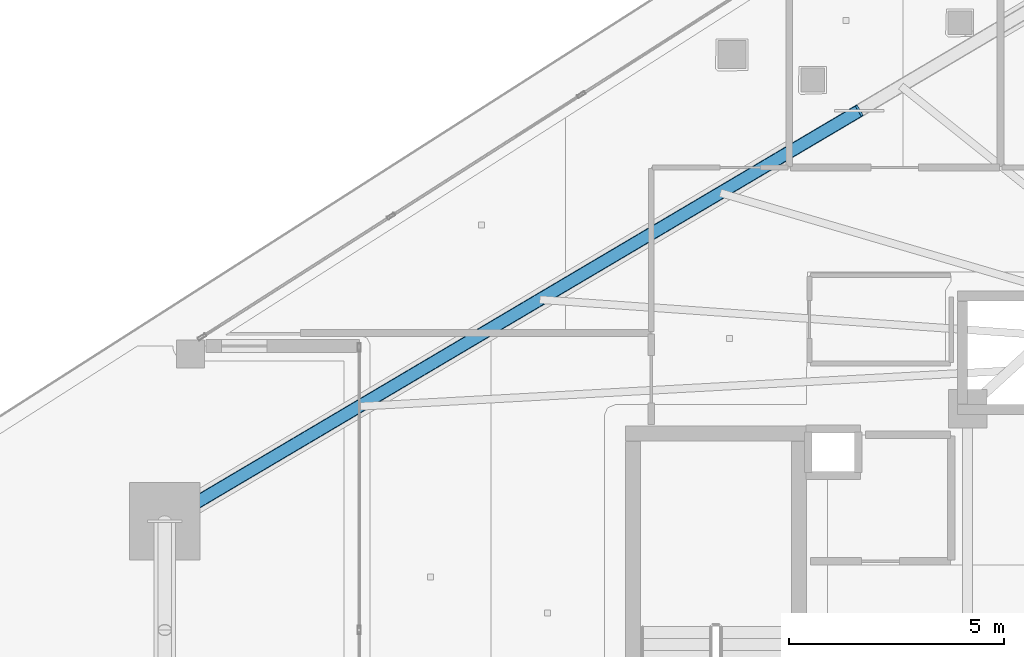
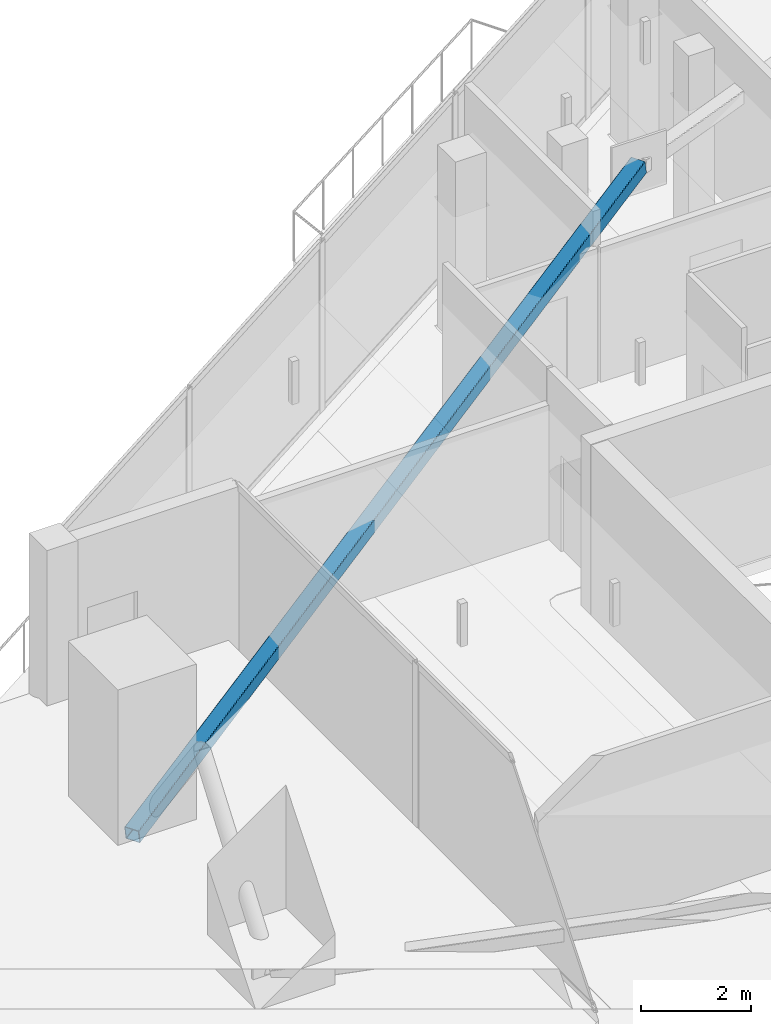
# One storey, part 17 of 40: 1 member.
"""IFC4 building model written with IfcOpenShell, lengths in metres."""

from ifc_helpers import new_model, si_unit, direction, frame, origin, origin_2d, place, context, subcontext, project, spatial, hollow_rectangle, extrude, material, material_profile, profile_set, type_object, element, save


model = new_model("IFC4")

# Units and contexts
model_context = context("Model", 3, precision=1e-05, world=origin(), true_north=direction((0.0, 1.0)))
body_context = subcontext(model_context, "Body", "Model", "MODEL_VIEW")
ifc_project = project(units=[si_unit("LENGTHUNIT", "METRE"), si_unit("AREAUNIT", "SQUARE_METRE"), si_unit("VOLUMEUNIT", "CUBIC_METRE"), si_unit("PLANEANGLEUNIT", "RADIAN"), si_unit("MASSUNIT", "GRAM", prefix="KILO")], contexts=[model_context])

# Site, building, storey
site_placement = place(None, origin())
site = spatial("IfcSite", under=ifc_project, at=site_placement, CompositionType="ELEMENT")
building_placement = place(site_placement, origin())
building = spatial("IfcBuilding", under=site, at=building_placement, Name="Qorvath Tower", CompositionType="ELEMENT")
storey_placement = place(building_placement, frame((0.0, 0.0, 225.300048828125)))
storey = spatial("IfcBuildingStorey", under=building, at=storey_placement, Name="L52", CompositionType="ELEMENT", Elevation=225.300048828125)

# Member
ifc_material = material(Name="Steel ASTM A500 Grade C", Category="steel")
ifc_material_profile = material_profile(ifc_material, hollow_rectangle(XDim=0.3046875, YDim=0.3046875, WallThickness=0.0126953125, InnerFilletRadius=0.0126953125, OuterFilletRadius=0.025390625, at=origin_2d()), Name="HSS 305x305x12.7")
ifc_profile_set = profile_set([ifc_material_profile], Name="Steel ASTM A500 Grade C")
member_type = type_object("IfcMemberType", Name="MEM-MB3", PredefinedType="BRACE", material=ifc_profile_set)
member_placement = place(storey_placement, frame((-49.171875, 2.52783203125, 0.0), z_axis=(0.846746895049, 0.500680334384, 0.179830193475), x_axis=(-0.508977860581, 0.860779610259, 0.0)))
element("IfcMember", 1, at=member_placement, inside=storey, type_object=member_type, Name="Perimeter Chevron Brace L52-1B", PredefinedType="BRACE", context=body_context, shape_type="SweptSolid", body=[
    extrude(hollow_rectangle(XDim=0.3046875, YDim=0.3046875, WallThickness=0.0126953125, InnerFilletRadius=0.0126953125, OuterFilletRadius=0.025390625, at=origin_2d()), origin(), (0.0, 0.0, 1.0), 19.0732421875),
])

save(model, "model.ifc")
